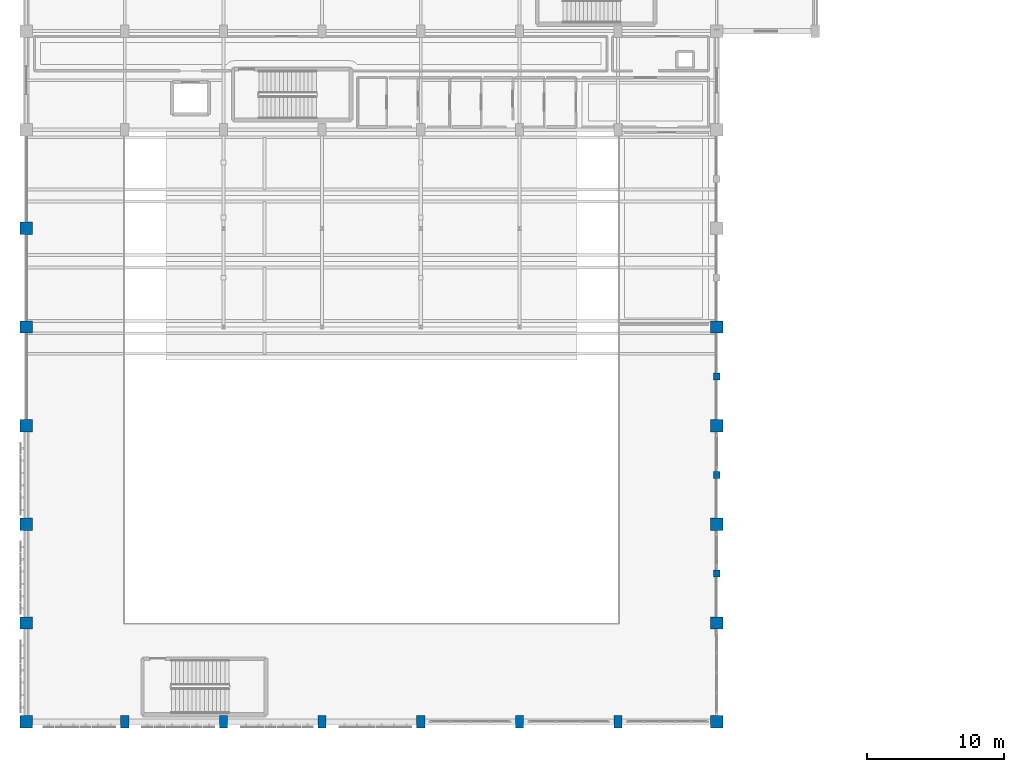
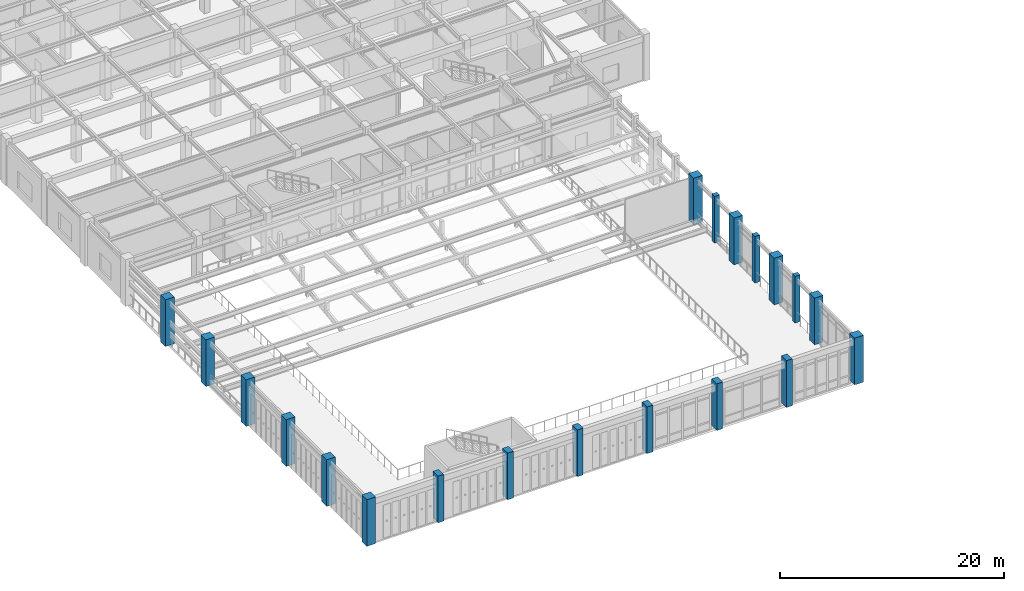
# One storey, part 1 of 117: 20 columns.
"""IFC4 building model written with IfcOpenShell, lengths in metres."""

from ifc_helpers import new_model, si_unit, direction, frame, origin, origin_2d, place, context, subcontext, project, spatial, rectangle, extrude, material, material_profile, profile_set, type_object, element, save


model = new_model("IFC4")

# Units and contexts
model_context = context("Model", 3, precision=1e-05, world=origin(), true_north=direction((0.0, 1.0)))
body_context = subcontext(model_context, "Body", "Model", "MODEL_VIEW")
ifc_project = project(units=[si_unit("LENGTHUNIT", "METRE"), si_unit("AREAUNIT", "SQUARE_METRE"), si_unit("VOLUMEUNIT", "CUBIC_METRE"), si_unit("PLANEANGLEUNIT", "RADIAN"), si_unit("MASSUNIT", "GRAM", prefix="KILO")], contexts=[model_context])

# Site, building, storey
site_placement = place(None, origin())
site = spatial("IfcSite", under=ifc_project, at=site_placement, CompositionType="ELEMENT")
building_placement = place(site_placement, origin())
building = spatial("IfcBuilding", under=site, at=building_placement, Name="Carrowvane Square Congress Hotel", CompositionType="ELEMENT")
storey_placement = place(building_placement, frame((0.0, 0.0, 5.39990234375)))
storey = spatial("IfcBuildingStorey", under=building, at=storey_placement, Name="L01", CompositionType="ELEMENT", Elevation=5.39990234375)

# Columns
ifc_material_1 = material(Name="Concrete C40/50", Category="concrete")
ifc_material_profile_1 = material_profile(ifc_material_1, rectangle(XDim=0.60009765625, YDim=0.89990234375, at=origin_2d()), Name="RC 600x900")
ifc_profile_set_1 = profile_set([ifc_material_profile_1], Name="Concrete C40/50")
column_type_1 = type_object("IfcColumnType", Name="COL-RC-600x900", PredefinedType="COLUMN", material=ifc_profile_set_1)
for number, where, z_axis, x_axis, name in (
    (1, (18.800048828125, 5.39990234375, 0.0), (0.0, 0.0, 1.0), (1.0, 0.0, 0.0), "L01 column 2/A"),
    (2, (26.0, 5.39990234375, 0.0), (0.0, 0.0, 1.0), (1.0, 0.0, 0.0), "L01 column 3/A"),
    (3, (33.199951171875, 5.39990234375, 0.0), (0.0, 0.0, 1.0), (1.0, 0.0, 0.0), "L01 column 4/A"),
    (4, (40.39990234375, 5.39990234375, 0.0), (0.0, 0.0, 1.0), (1.0, 0.0, 0.0), "L01 column 5/A"),
    (5, (47.60009765625, 5.39990234375, 0.0), (0.0, 0.0, 1.0), (1.0, 0.0, 0.0), "L01 column 6/A"),
    (6, (54.800048828125, 5.39990234375, 0.0), (0.0, 0.0, 1.0), (1.0, 0.0, 0.0), "L01 column 7/A"),
):
    element("IfcColumn", number, at=place(storey_placement, frame(where, z_axis=z_axis, x_axis=x_axis)), inside=storey, type_object=column_type_1, Name=name, PredefinedType="COLUMN", context=body_context, shape_type="SweptSolid", body=[
        extrude(rectangle(XDim=0.60009765625, YDim=0.89990234375, at=origin_2d()), origin(), (0.0, 0.0, 1.0), 5.10009765625),
    ])
ifc_material_2 = material(Name="Concrete C40/50", Category="concrete")
ifc_material_profile_2 = material_profile(ifc_material_2, rectangle(XDim=0.89990234375, YDim=0.89990234375, at=origin_2d()), Name="RC 900x900")
ifc_profile_set_2 = profile_set([ifc_material_profile_2], Name="Concrete C40/50")
column_type_2 = type_object("IfcColumnType", Name="MCOL-RC-900", PredefinedType="COLUMN", material=ifc_profile_set_2)
for number, where, z_axis, x_axis, name in (
    (7, (11.60009765625, 5.39990234375, 0.0), (0.0, 0.0, 1.0), (1.0, 0.0, 0.0), "L01 column 1/A"),
    (8, (11.60009765625, 12.60009765625, 0.0), (0.0, 0.0, 1.0), (1.0, 0.0, 0.0), "L01 column 1/B"),
    (9, (11.60009765625, 19.800048828125, 0.0), (0.0, 0.0, 1.0), (1.0, 0.0, 0.0), "L01 column 1/C"),
    (10, (11.60009765625, 27.0, 0.0), (0.0, 0.0, 1.0), (1.0, 0.0, 0.0), "L01 column 1/D"),
    (11, (11.60009765625, 34.199951171875, 0.0), (0.0, 0.0, 1.0), (1.0, 0.0, 0.0), "L01 column 1/E"),
    (12, (11.60009765625, 41.39990234375, 0.0), (0.0, 0.0, 1.0), (1.0, 0.0, 0.0), "L01 column 1/F"),
    (13, (62.0, 5.39990234375, 0.0), (0.0, 0.0, 1.0), (1.0, 0.0, 0.0), "L01 column 8/A"),
    (14, (62.0, 12.60009765625, 0.0), (0.0, 0.0, 1.0), (1.0, 0.0, 0.0), "L01 column 8/B"),
    (15, (62.0, 19.800048828125, 0.0), (0.0, 0.0, 1.0), (1.0, 0.0, 0.0), "L01 column 8/C"),
    (16, (62.0, 27.0, 0.0), (0.0, 0.0, 1.0), (1.0, 0.0, 0.0), "L01 column 8/D"),
    (17, (62.0, 34.199951171875, 0.0), (0.0, 0.0, 1.0), (1.0, 0.0, 0.0), "L01 column 8/E"),
):
    element("IfcColumn", number, at=place(storey_placement, frame(where, z_axis=z_axis, x_axis=x_axis)), inside=storey, type_object=column_type_2, Name=name, PredefinedType="COLUMN", context=body_context, shape_type="SweptSolid", body=[
        extrude(rectangle(XDim=0.89990234375, YDim=0.89990234375, at=origin_2d()), origin(), (0.0, 0.0, 1.0), 5.10009765625),
    ])
ifc_material_3 = material(Name="Precast concrete C40/50", Category="concrete")
ifc_material_profile_3 = material_profile(ifc_material_3, rectangle(XDim=0.5, YDim=0.5, at=origin_2d()), Name="RC 500x500")
ifc_profile_set_3 = profile_set([ifc_material_profile_3], Name="Precast concrete C40/50")
column_type_3 = type_object("IfcColumnType", Name="PIL-PC-500", PredefinedType="PILASTER", material=ifc_profile_set_3)
for number, where, z_axis, x_axis, name in (
    (18, (62.0, 16.199951171875, 0.0), (0.0, 0.0, 1.0), (1.0, 0.0, 0.0), "L01 colonnade limestone pilaster 1"),
    (19, (62.0, 23.39990234375, 0.0), (0.0, 0.0, 1.0), (1.0, 0.0, 0.0), "L01 colonnade limestone pilaster 2"),
    (20, (62.0, 30.60009765625, 0.0), (0.0, 0.0, 1.0), (1.0, 0.0, 0.0), "L01 colonnade limestone pilaster 3"),
):
    element("IfcColumn", number, at=place(storey_placement, frame(where, z_axis=z_axis, x_axis=x_axis)), inside=storey, type_object=column_type_3, Name=name, PredefinedType="PILASTER", context=body_context, shape_type="SweptSolid", body=[
        extrude(rectangle(XDim=0.5, YDim=0.5, at=origin_2d()), origin(), (0.0, 0.0, 1.0), 5.10009765625),
    ])

save(model, "model.ifc")
